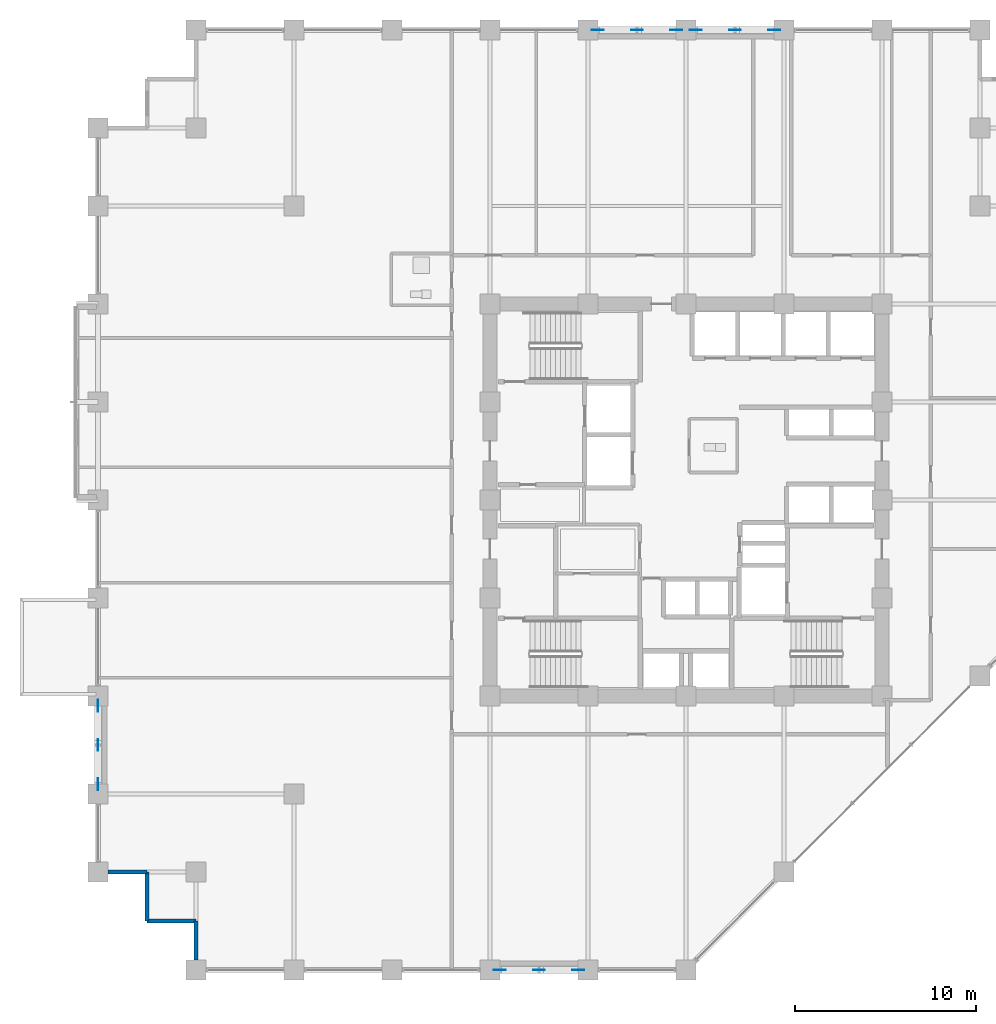
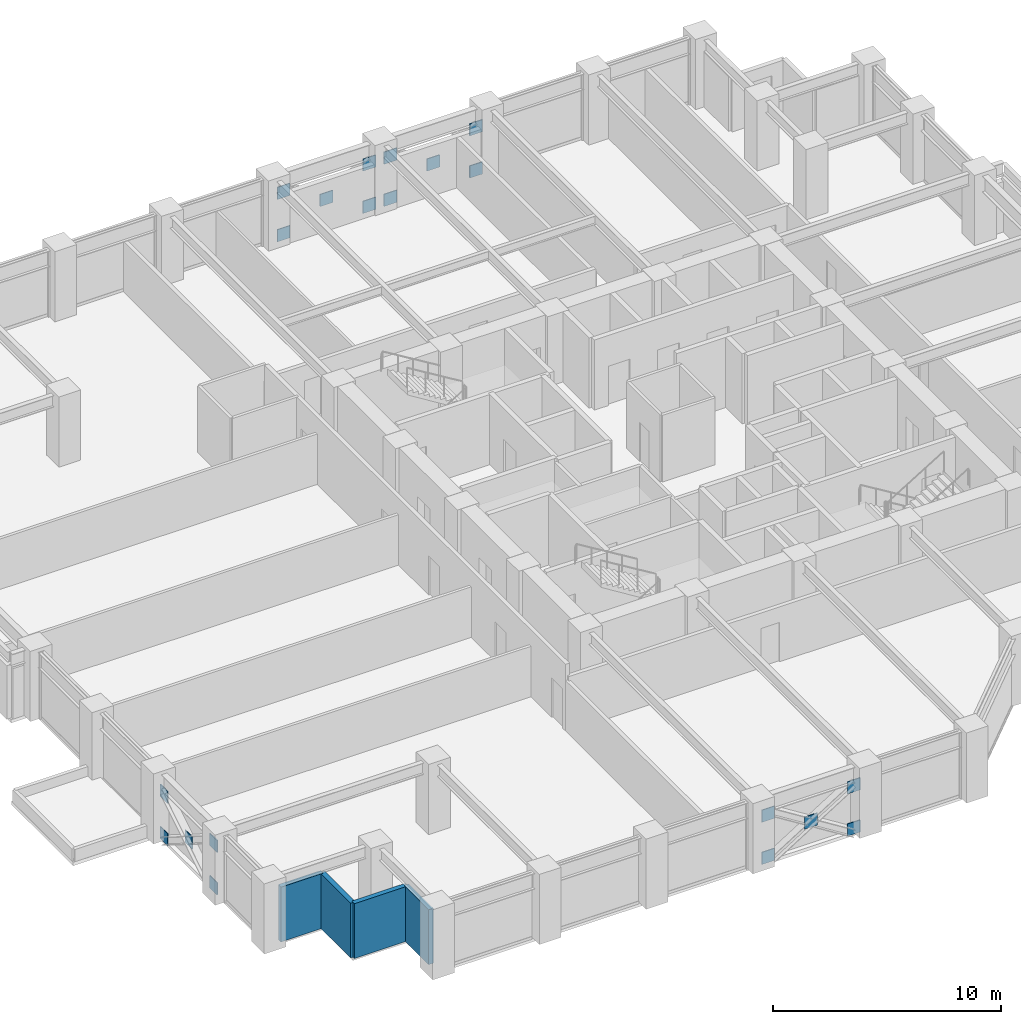
# One storey, part 18 of 25: 20 plates, 4 walls.
"""IFC4 building model written with IfcOpenShell, lengths in metres."""

from ifc_helpers import new_model, si_unit, direction, frame, frame_2d, origin, origin_2d, place, context, subcontext, project, spatial, rectangle, extrude, material, layer, layer_set, type_object, element, save


model = new_model("IFC4")

# Units and contexts
model_context = context("Model", 3, precision=1e-05, world=origin(), true_north=direction((0.0, 1.0)))
body_context = subcontext(model_context, "Body", "Model", "MODEL_VIEW")
ifc_project = project(units=[si_unit("LENGTHUNIT", "METRE"), si_unit("AREAUNIT", "SQUARE_METRE"), si_unit("VOLUMEUNIT", "CUBIC_METRE"), si_unit("PLANEANGLEUNIT", "RADIAN"), si_unit("MASSUNIT", "GRAM", prefix="KILO")], contexts=[model_context])

# Site, building, storey
site_placement = place(None, origin())
site = spatial("IfcSite", under=ifc_project, at=site_placement, CompositionType="ELEMENT")
building_placement = place(site_placement, origin())
building = spatial("IfcBuilding", under=site, at=building_placement, Name="Surkhivell Harbour Commons", CompositionType="ELEMENT")
storey_placement = place(building_placement, frame((0.0, 0.0, 94.5)))
storey = spatial("IfcBuildingStorey", under=building, at=storey_placement, Name="L24", CompositionType="ELEMENT", Elevation=94.5)

# Plates
ifc_material_1 = material(Name="Steel S460", Category="steel")
ifc_layer_1 = layer(ifc_material_1, 0.044921875)
ifc_layer_set_1 = layer_set([ifc_layer_1], Name="Steel S460")
plate_type = type_object("IfcPlateType", Name="PLT-GUS-650", PredefinedType="USERDEFINED", material=ifc_layer_set_1)
for number, where, z_axis, x_axis, name in (
    (1, (-4.864990234375, 25.89990234375, -0.08935546875), (0.0, 0.0, 1.0), (1.0, 0.0, 0.0), "L24 Perimeter Mega-Brace MB- Corner Gusset N-1"),
    (2, (-0.534912109375, 25.89990234375, -0.08935546875), (0.0, 0.0, 1.0), (1.0, 0.0, 0.0), "L24 Perimeter Mega-Brace MB- Corner Gusset N-2"),
    (3, (-4.864990234375, 25.89990234375, 2.170654296875), (0.0, 0.0, 1.0), (1.0, 0.0, 0.0), "L24 Perimeter Mega-Brace MB- Corner Gusset N-3"),
    (4, (-0.534912109375, 25.89990234375, 2.170654296875), (0.0, 0.0, 1.0), (1.0, 0.0, 0.0), "L24 Perimeter Mega-Brace MB- Corner Gusset N-4"),
    (5, (-2.699951171875, 25.89990234375, 1.04052734375), (0.0, 0.0, 1.0), (1.0, 0.0, 0.0), "L24 Perimeter Mega-Brace MB- Central Crossing Gusset N"),
    (6, (0.534912109375, 25.89990234375, -0.08935546875), (0.0, 0.0, 1.0), (1.0, 0.0, 0.0), "L24 Perimeter Mega-Brace MB- Corner Gusset N2-1"),
    (7, (4.864990234375, 25.89990234375, -0.08935546875), (0.0, 0.0, 1.0), (1.0, 0.0, 0.0), "L24 Perimeter Mega-Brace MB- Corner Gusset N2-2"),
    (8, (0.534912109375, 25.89990234375, 2.170654296875), (0.0, 0.0, 1.0), (1.0, 0.0, 0.0), "L24 Perimeter Mega-Brace MB- Corner Gusset N2-3"),
    (9, (4.864990234375, 25.89990234375, 2.170654296875), (0.0, 0.0, 1.0), (1.0, 0.0, 0.0), "L24 Perimeter Mega-Brace MB- Corner Gusset N2-4"),
    (10, (2.699951171875, 25.89990234375, 1.04052734375), (0.0, 0.0, 1.0), (1.0, 0.0, 0.0), "L24 Perimeter Mega-Brace MB- Central Crossing Gusset N2"),
    (11, (-10.264892578125, -25.89990234375, -0.08935546875), (0.0, 0.0, 1.0), (1.0, 0.0, 0.0), "L24 Perimeter Mega-Brace MB- Corner Gusset S-1"),
    (12, (-5.93505859375, -25.89990234375, -0.08935546875), (0.0, 0.0, 1.0), (1.0, 0.0, 0.0), "L24 Perimeter Mega-Brace MB- Corner Gusset S-2"),
    (13, (-10.264892578125, -25.89990234375, 2.170654296875), (0.0, 0.0, 1.0), (1.0, 0.0, 0.0), "L24 Perimeter Mega-Brace MB- Corner Gusset S-3"),
    (14, (-5.93505859375, -25.89990234375, 2.170654296875), (0.0, 0.0, 1.0), (1.0, 0.0, 0.0), "L24 Perimeter Mega-Brace MB- Corner Gusset S-4"),
    (15, (-8.10009765625, -25.89990234375, 1.04052734375), (0.0, 0.0, 1.0), (1.0, 0.0, 0.0), "L24 Perimeter Mega-Brace MB- Central Crossing Gusset S"),
    (16, (-32.39990234375, -15.6650390625, -0.08935546875), (0.0, 0.0, 1.0), (0.0, 1.0, 0.0), "L24 Perimeter Mega-Brace MB- Corner Gusset W-1"),
    (17, (-32.39990234375, -11.3349609375, -0.08935546875), (0.0, 0.0, 1.0), (0.0, 1.0, 0.0), "L24 Perimeter Mega-Brace MB- Corner Gusset W-2"),
    (18, (-32.39990234375, -15.6650390625, 2.170654296875), (0.0, 0.0, 1.0), (0.0, 1.0, 0.0), "L24 Perimeter Mega-Brace MB- Corner Gusset W-3"),
    (19, (-32.39990234375, -11.3349609375, 2.170654296875), (0.0, 0.0, 1.0), (0.0, 1.0, 0.0), "L24 Perimeter Mega-Brace MB- Corner Gusset W-4"),
    (20, (-32.39990234375, -13.5, 1.04052734375), (0.0, 0.0, 1.0), (0.0, 1.0, 0.0), "L24 Perimeter Mega-Brace MB- Central Crossing Gusset W"),
):
    element("IfcPlate", number, at=place(storey_placement, frame(where, z_axis=z_axis, x_axis=x_axis)), inside=storey, type_object=plate_type, Name=name, ObjectType="GUSSET_PLATE", PredefinedType="USERDEFINED", context=body_context, shape_type="SweptSolid", body=[
        extrude(rectangle(XDim=0.64990234375, YDim=0.044921875, at=origin_2d()), origin(), (0.0, 0.0, 1.0), 0.64990234375),
    ])

# Walls
ifc_material_2 = material(Name="Bronze-ochre cassette precast concrete C45/55", Category="concrete")
ifc_layer_2 = layer(ifc_material_2, 0.239990234375)
ifc_layer_set_2 = layer_set([ifc_layer_2], Name="Bronze-ochre cassette precast concrete C45/55")
wall_type = type_object("IfcWallType", Name="WAL-EXT-OCH240", PredefinedType="STANDARD", material=ifc_layer_set_2)
wall_1_placement = place(storey_placement, frame((-31.85205078125, -20.5, 0.0), z_axis=(0.0, 0.0, 1.0), x_axis=(1.0, 0.0, 0.0)))
element("IfcWall", 21, at=wall_1_placement, inside=storey, type_object=wall_type, Name="L24 Serrated Corner Facade Wall 13", PredefinedType="STANDARD", context=body_context, shape_type="SweptSolid", body=[
    extrude(rectangle(XDim=2.152099609375, YDim=0.239990234375, at=frame_2d((1.076171875, 0.0))), origin(), (0.0, 0.0, 1.0), 2.93310546875),
])
for number, where, z_axis, x_axis, name in (
    (22, (-29.699951171875, -20.5, 0.0), (0.0, 0.0, 1.0), (0.0, -1.0, 0.0), "L24 Serrated Corner Facade Wall 14"),
    (23, (-29.699951171875, -23.199951171875, 0.0), (0.0, 0.0, 1.0), (1.0, 0.0, 0.0), "L24 Serrated Corner Facade Wall 15"),
):
    element("IfcWall", number, at=place(storey_placement, frame(where, z_axis=z_axis, x_axis=x_axis)), inside=storey, type_object=wall_type, Name=name, PredefinedType="STANDARD", context=body_context, shape_type="SweptSolid", body=[
        extrude(rectangle(XDim=2.699951171875, YDim=0.239990234375, at=frame_2d((1.35009765625, 0.0))), origin(), (0.0, 0.0, 1.0), 2.93310546875),
    ])
wall_2_placement = place(storey_placement, frame((-27.0, -23.199951171875, 0.0), z_axis=(0.0, 0.0, 1.0), x_axis=(0.0, -1.0, 0.0)))
element("IfcWall", 24, at=wall_2_placement, inside=storey, type_object=wall_type, Name="L24 Serrated Corner Facade Wall 16", PredefinedType="STANDARD", context=body_context, shape_type="SweptSolid", body=[
    extrude(rectangle(XDim=2.152099609375, YDim=0.239990234375, at=frame_2d((1.076171875, 0.0))), origin(), (0.0, 0.0, 1.0), 2.93310546875),
])

save(model, "model.ifc")
